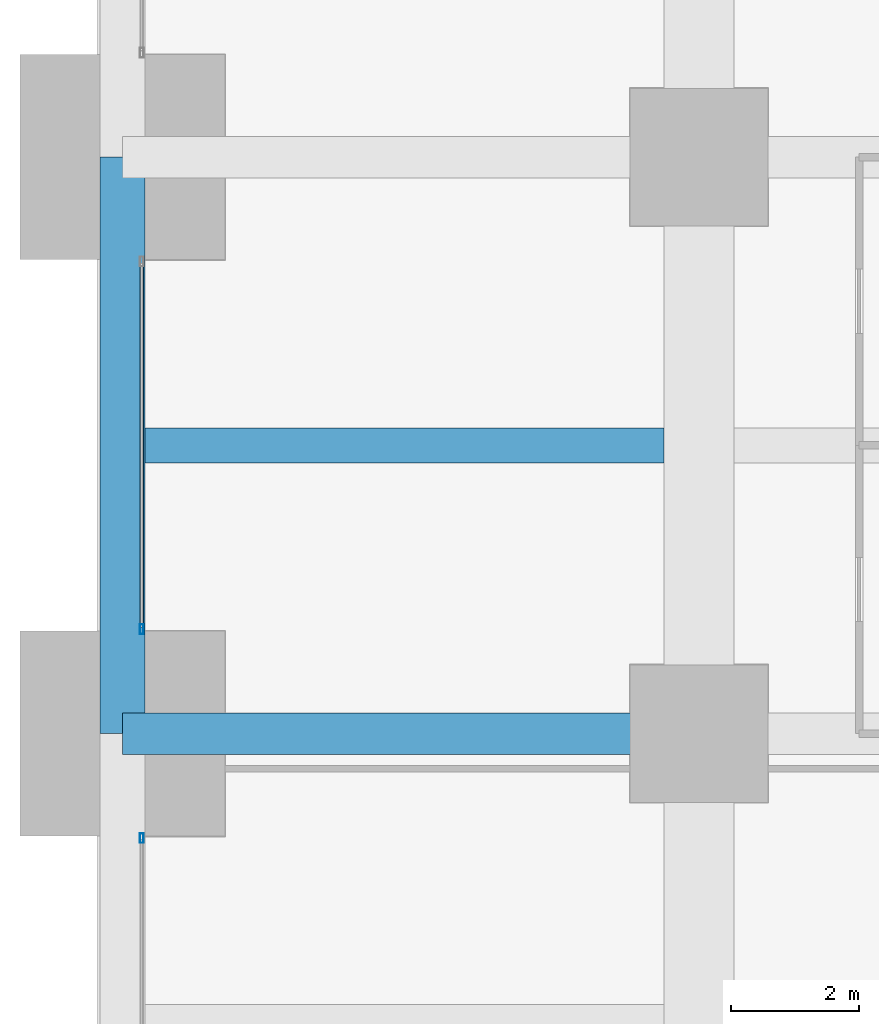
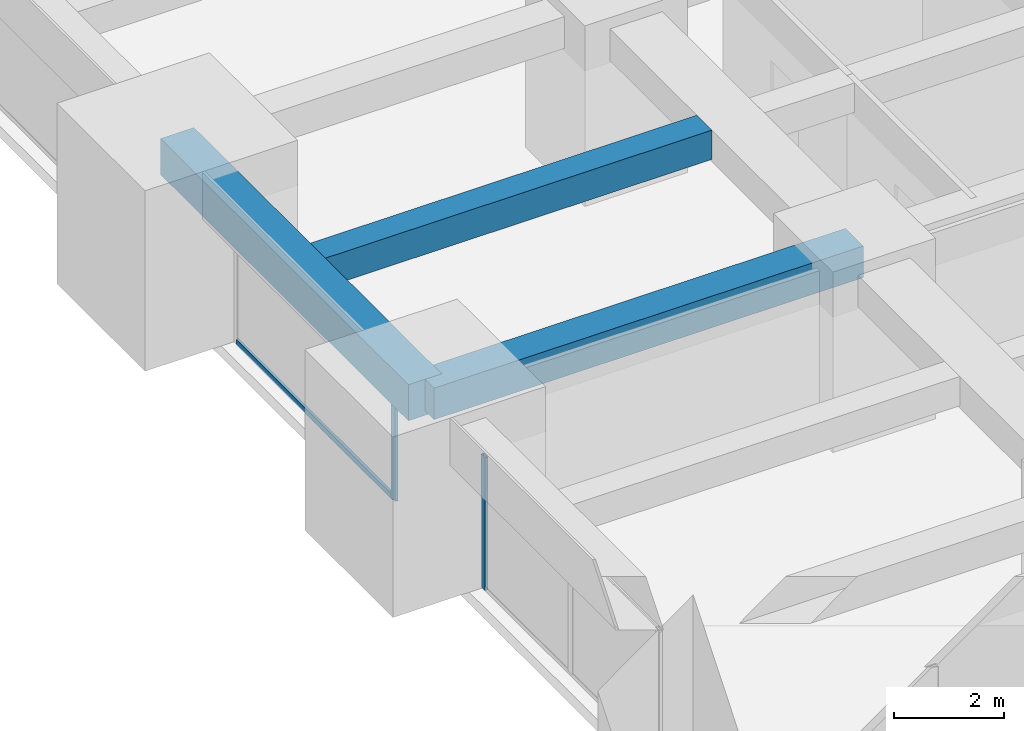
# One storey, part 9 of 41: 3 beams, 3 members, 2 elements without a shape of their own.
"""IFC4 building model written with IfcOpenShell, lengths in metres."""

from ifc_helpers import new_model, si_unit, direction, frame, origin, origin_2d, place, context, subcontext, project, spatial, rectangle, hollow_rectangle, extrude, material, material_profile, profile_set, type_object, element, aggregate, save


model = new_model("IFC4")

# Units and contexts
model_context = context("Model", 3, precision=1e-05, world=origin(), true_north=direction((0.0, 1.0)))
body_context = subcontext(model_context, "Body", "Model", "MODEL_VIEW")
ifc_project = project(units=[si_unit("LENGTHUNIT", "METRE"), si_unit("AREAUNIT", "SQUARE_METRE"), si_unit("VOLUMEUNIT", "CUBIC_METRE"), si_unit("PLANEANGLEUNIT", "RADIAN"), si_unit("MASSUNIT", "GRAM", prefix="KILO")], contexts=[model_context])

# Site, building, storey
site_placement = place(None, origin())
site = spatial("IfcSite", under=ifc_project, at=site_placement, CompositionType="ELEMENT")
building_placement = place(site_placement, origin())
building = spatial("IfcBuilding", under=site, at=building_placement, Name="Zorevar Civic Tower", CompositionType="ELEMENT")
storey_placement = place(building_placement, frame((0.0, 0.0, 89.0)))
storey = spatial("IfcBuildingStorey", under=building, at=storey_placement, Name="L21", CompositionType="ELEMENT", Elevation=89.0)

# Beams
ifc_material_1 = material(Name="Concrete C50/60", Category="concrete")
ifc_material_profile_1 = material_profile(ifc_material_1, rectangle(XDim=0.550048828125, YDim=0.64990234375, at=origin_2d()), Name="RC 550x650")
ifc_profile_set_1 = profile_set([ifc_material_profile_1], Name="Concrete C50/60")
beam_type_1 = type_object("IfcBeamType", Name="Beam RC 550x650", PredefinedType="BEAM", material=ifc_profile_set_1)
beam_1_placement = place(storey_placement, frame((0.35009765625, 22.5, 3.425048828125), z_axis=(1.0, 0.0, 0.0), x_axis=(0.0, 1.0, 0.0)))
element("IfcBeam", 1, at=beam_1_placement, inside=storey, type_object=beam_type_1, Name="Secondary beam L22", PredefinedType="BEAM", context=body_context, shape_type="SweptSolid", body=[
    extrude(rectangle(XDim=0.550048828125, YDim=0.64990234375, at=origin_2d()), origin(), (0.0, 0.0, 1.0), 8.099853515625),
])
ifc_material_2 = material(Name="Concrete C50/60", Category="concrete")
ifc_material_profile_2 = material_profile(ifc_material_2, rectangle(XDim=0.64990234375, YDim=0.699951171875, at=origin_2d()), Name="RC 650x700")
ifc_profile_set_2 = profile_set([ifc_material_profile_2], Name="Concrete C50/60")
beam_type_2 = type_object("IfcBeamType", Name="Beam RC 650x700", PredefinedType="BEAM", material=ifc_profile_set_2)
beam_2_placement = place(storey_placement, frame((0.0, 18.0, 3.39990234375), z_axis=(1.0, 0.0, 0.0), x_axis=(0.0, 1.0, 0.0)))
element("IfcBeam", 2, at=beam_2_placement, inside=storey, type_object=beam_type_2, Name="Girder L22", PredefinedType="BEAM", context=body_context, shape_type="SweptSolid", body=[
    extrude(rectangle(XDim=0.64990234375, YDim=0.699951171875, at=origin_2d()), origin(), (0.0, 0.0, 1.0), 9.0),
])

# Curtain wall, member
ifc_material_3 = material(Name="Dark grey solar-control glass in black aluminium frame", Category="aluminium")
curtain_wall_type = type_object("IfcCurtainWallType", Name="Curtain wall CW3 mid zone", PredefinedType="NOTDEFINED", material=ifc_material_3)
curtain_wall_1_placement = place(storey_placement, origin())
curtain_wall_1 = element("IfcCurtainWall", 3, at=curtain_wall_1_placement, inside=storey, type_object=curtain_wall_type, Name="CW3 L21", PredefinedType="NOTDEFINED")
ifc_material_4 = material(Name="Aluminium, black anodised", Category="aluminium")
ifc_material_profile_3 = material_profile(ifc_material_4, hollow_rectangle(XDim=0.06005859375, YDim=0.14990234375, WallThickness=0.00390625, at=origin_2d()), Name="AL 150x60x4")
ifc_profile_set_3 = profile_set([ifc_material_profile_3], Name="Aluminium, black anodised")
member_type_1 = type_object("IfcMemberType", Name="CW3 mullion AL 150x60x4", PredefinedType="MULLION", material=ifc_profile_set_3)
member_1_placement = place(storey_placement, frame((0.300048828125, 16.3701171875, 0.0), z_axis=(0.0, 0.0, 1.0), x_axis=(-1.0, 0.0, 0.0)))
member_1 = element("IfcMember", 4, at=member_1_placement, type_object=member_type_1, Name="CW3 mullion 3", PredefinedType="MULLION", context=body_context, shape_type="SweptSolid", body=[
    extrude(hollow_rectangle(XDim=0.06005859375, YDim=0.14990234375, WallThickness=0.00390625, at=origin_2d()), origin(), (0.0, 0.0, 1.0), 2.949951171875),
])
aggregate(curtain_wall_1, [member_1])

# Curtain wall, members
curtain_wall_2_placement = place(storey_placement, origin())
curtain_wall_2 = element("IfcCurtainWall", 5, at=curtain_wall_2_placement, inside=storey, type_object=curtain_wall_type, Name="CW3 L21", PredefinedType="NOTDEFINED")
member_2_placement = place(storey_placement, frame((0.300048828125, 19.6298828125, 0.0), z_axis=(0.0, 0.0, 1.0), x_axis=(-1.0, 0.0, 0.0)))
member_2 = element("IfcMember", 6, at=member_2_placement, type_object=member_type_1, Name="CW3 mullion 1", PredefinedType="MULLION", context=body_context, shape_type="SweptSolid", body=[
    extrude(hollow_rectangle(XDim=0.06005859375, YDim=0.14990234375, WallThickness=0.00390625, at=origin_2d()), origin(), (0.0, 0.0, 1.0), 2.949951171875),
])
ifc_material_5 = material(Name="Aluminium, black anodised", Category="aluminium")
ifc_material_profile_4 = material_profile(ifc_material_5, hollow_rectangle(XDim=0.06005859375, YDim=0.1201171875, WallThickness=0.0029296875, at=origin_2d()), Name="AL 120x60x3")
ifc_profile_set_4 = profile_set([ifc_material_profile_4], Name="Aluminium, black anodised")
member_type_2 = type_object("IfcMemberType", Name="CW3 transom AL 120x60x3", PredefinedType="USERDEFINED", material=ifc_profile_set_4)
member_3_placement = place(storey_placement, frame((0.300048828125, 19.659912109375, 0.030029296875), z_axis=(0.0, 1.0, 0.0), x_axis=(-1.0, 0.0, 0.0)))
member_3 = element("IfcMember", 7, at=member_3_placement, type_object=member_type_2, Name="CW3 sill transom", ObjectType="TRANSOM", PredefinedType="USERDEFINED", context=body_context, shape_type="SweptSolid", body=[
    extrude(hollow_rectangle(XDim=0.06005859375, YDim=0.1201171875, WallThickness=0.0029296875, at=origin_2d()), origin(), (0.0, 0.0, 1.0), 5.68017578125),
])
aggregate(curtain_wall_2, [member_2, member_3])

# Beam
ifc_material_6 = material(Name="Concrete C50/60", Category="concrete")
ifc_material_profile_5 = material_profile(ifc_material_6, rectangle(XDim=0.699951171875, YDim=0.800048828125, at=origin_2d()), Name="RC 700x800")
ifc_profile_set_5 = profile_set([ifc_material_profile_5], Name="Concrete C50/60")
beam_type_3 = type_object("IfcBeamType", Name="Edge beam RC 700x800", PredefinedType="SPANDREL", material=ifc_profile_set_5)
beam_3_placement = place(storey_placement, frame((0.0, 18.0, 3.35009765625), z_axis=(0.0, 1.0, 0.0), x_axis=(-1.0, 0.0, 0.0)))
element("IfcBeam", 8, at=beam_3_placement, inside=storey, type_object=beam_type_3, Name="Edge beam L22", PredefinedType="SPANDREL", context=body_context, shape_type="SweptSolid", body=[
    extrude(rectangle(XDim=0.699951171875, YDim=0.800048828125, at=origin_2d()), origin(), (0.0, 0.0, 1.0), 9.0),
])

save(model, "model.ifc")
